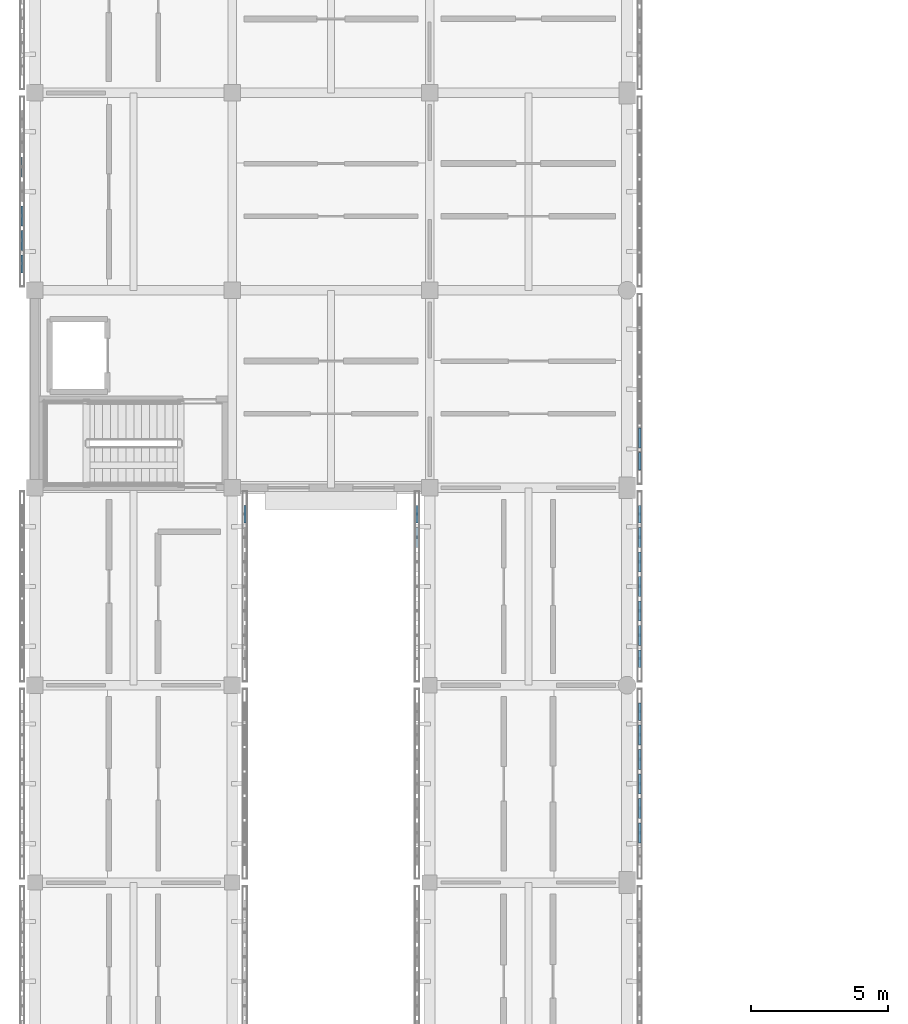
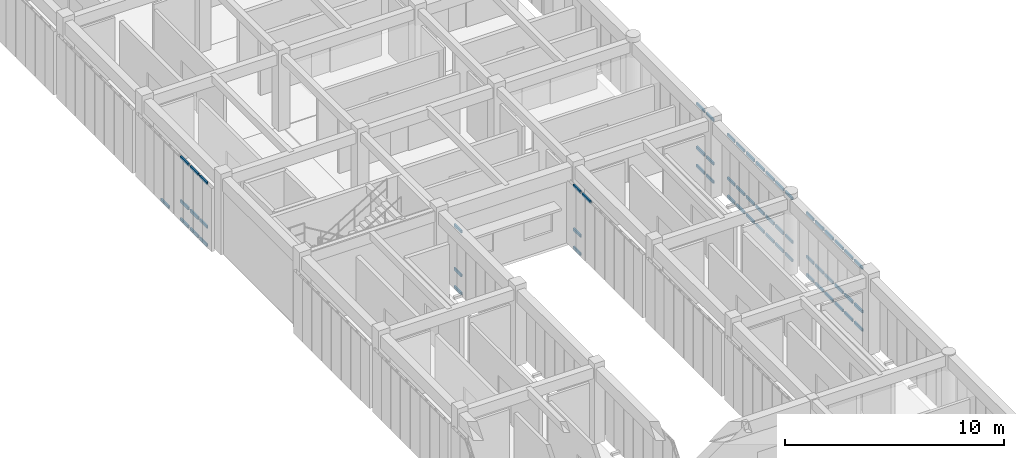
# One storey, part 73 of 171: 62 members, 6 elements without a shape of their own.
"""IFC4 building model written with IfcOpenShell, lengths in metres."""

from ifc_helpers import new_model, si_unit, direction, frame, origin, origin_2d, place, context, subcontext, project, spatial, hollow_rectangle, extrude, material, material_profile, profile_set, type_object, element, aggregate, save


model = new_model("IFC4")

# Units and contexts
model_context = context("Model", 3, precision=1e-05, world=origin(), true_north=direction((0.0, 1.0)))
body_context = subcontext(model_context, "Body", "Model", "MODEL_VIEW")
ifc_project = project(units=[si_unit("LENGTHUNIT", "METRE"), si_unit("AREAUNIT", "SQUARE_METRE"), si_unit("VOLUMEUNIT", "CUBIC_METRE"), si_unit("PLANEANGLEUNIT", "RADIAN"), si_unit("MASSUNIT", "GRAM", prefix="KILO")], contexts=[model_context])

# Site, building, storey
site_placement = place(None, origin())
site = spatial("IfcSite", under=ifc_project, at=site_placement, CompositionType="ELEMENT")
building_placement = place(site_placement, origin())
building = spatial("IfcBuilding", under=site, at=building_placement, Name="Aldebral Square Health Centre", CompositionType="ELEMENT")
storey_placement = place(building_placement, frame((0.0, 0.0, 4.5)))
storey = spatial("IfcBuildingStorey", under=building, at=storey_placement, Name="L01", CompositionType="ELEMENT", Elevation=4.5)

# Curtain wall, members
ifc_material_1 = material(Name="Aluminium and low-E solar glass", Category="aluminium")
curtain_wall_type = type_object("IfcCurtainWallType", Name="CW-FIN-SYS", PredefinedType="USERDEFINED", material=ifc_material_1)
curtain_wall_1_placement = place(storey_placement, origin())
curtain_wall_1 = element("IfcCurtainWall", 1, at=curtain_wall_1_placement, inside=storey, type_object=curtain_wall_type, Name="L01 V6 finned curtain wall L01-V6-00-03-E", ObjectType="SOLAR_CURTAIN_WALL", PredefinedType="USERDEFINED")
ifc_material_2 = material(Name="Anodised aluminium transom", Category="aluminium")
ifc_material_profile = material_profile(ifc_material_2, hollow_rectangle(XDim=0.074951171875, YDim=0.14990234375, WallThickness=0.00390625, at=origin_2d()), Name="CWT 75x150x4")
ifc_profile_set = profile_set([ifc_material_profile], Name="Anodised aluminium transom")
member_type = type_object("IfcMemberType", Name="CWT-STD", PredefinedType="USERDEFINED", material=ifc_profile_set)
member_1_placement = place(storey_placement, frame((7.659912109375, 27.508544921875, 0.03759765625), z_axis=(0.0, 1.0, 0.0), x_axis=(-1.0, 0.0, 0.0)))
member_1 = element("IfcMember", 2, at=member_1_placement, type_object=member_type, Name="CW1 transom 7.1", ObjectType="TRANSOM", PredefinedType="USERDEFINED", context=body_context, shape_type="SweptSolid", body=[
    extrude(hollow_rectangle(XDim=0.074951171875, YDim=0.14990234375, WallThickness=0.00390625, at=origin_2d()), origin(), (0.0, 0.0, 1.0), 0.6513671875),
])
member_2_placement = place(storey_placement, frame((7.659912109375, 27.508544921875, 1.050048828125), z_axis=(0.0, 1.0, 0.0), x_axis=(-1.0, 0.0, 0.0)))
member_2 = element("IfcMember", 3, at=member_2_placement, type_object=member_type, Name="CW1 transom 7.2", ObjectType="TRANSOM", PredefinedType="USERDEFINED", context=body_context, shape_type="SweptSolid", body=[
    extrude(hollow_rectangle(XDim=0.074951171875, YDim=0.14990234375, WallThickness=0.00390625, at=origin_2d()), origin(), (0.0, 0.0, 1.0), 0.6513671875),
])
member_3_placement = place(storey_placement, frame((7.659912109375, 27.508544921875, 3.482421875), z_axis=(0.0, 1.0, 0.0), x_axis=(-1.0, 0.0, 0.0)))
member_3 = element("IfcMember", 4, at=member_3_placement, type_object=member_type, Name="CW1 transom 7.3", ObjectType="TRANSOM", PredefinedType="USERDEFINED", context=body_context, shape_type="SweptSolid", body=[
    extrude(hollow_rectangle(XDim=0.074951171875, YDim=0.14990234375, WallThickness=0.00390625, at=origin_2d()), origin(), (0.0, 0.0, 1.0), 0.6513671875),
])
aggregate(curtain_wall_1, [member_1, member_2, member_3])

curtain_wall_2_placement = place(storey_placement, origin())
curtain_wall_2 = element("IfcCurtainWall", 5, at=curtain_wall_2_placement, inside=storey, type_object=curtain_wall_type, Name="L01 V6 finned curtain wall L01-V6-00-05-W", ObjectType="SOLAR_CURTAIN_WALL", PredefinedType="USERDEFINED")
member_4_placement = place(storey_placement, frame((-0.4599609375, 40.857177734375, 0.03759765625), z_axis=(0.0, -1.0, 0.0), x_axis=(1.0, 0.0, 0.0)))
member_4 = element("IfcMember", 6, at=member_4_placement, type_object=member_type, Name="CW1 transom 3.1", ObjectType="TRANSOM", PredefinedType="USERDEFINED", context=body_context, shape_type="SweptSolid", body=[
    extrude(hollow_rectangle(XDim=0.074951171875, YDim=0.14990234375, WallThickness=0.00390625, at=origin_2d()), origin(), (0.0, 0.0, 1.0), 0.7314453125),
])
member_5_placement = place(storey_placement, frame((-0.4599609375, 39.07421875, 0.03759765625), z_axis=(0.0, -1.0, 0.0), x_axis=(1.0, 0.0, 0.0)))
member_5 = element("IfcMember", 7, at=member_5_placement, type_object=member_type, Name="CW1 transom 5.1", ObjectType="TRANSOM", PredefinedType="USERDEFINED", context=body_context, shape_type="SweptSolid", body=[
    extrude(hollow_rectangle(XDim=0.074951171875, YDim=0.14990234375, WallThickness=0.00390625, at=origin_2d()), origin(), (0.0, 0.0, 1.0), 0.7314453125),
])
member_6_placement = place(storey_placement, frame((-0.4599609375, 39.07421875, 1.050048828125), z_axis=(0.0, -1.0, 0.0), x_axis=(1.0, 0.0, 0.0)))
member_6 = element("IfcMember", 8, at=member_6_placement, type_object=member_type, Name="CW1 transom 5.2", ObjectType="TRANSOM", PredefinedType="USERDEFINED", context=body_context, shape_type="SweptSolid", body=[
    extrude(hollow_rectangle(XDim=0.074951171875, YDim=0.14990234375, WallThickness=0.00390625, at=origin_2d()), origin(), (0.0, 0.0, 1.0), 0.7314453125),
])
member_7_placement = place(storey_placement, frame((-0.4599609375, 39.07421875, 3.482421875), z_axis=(0.0, -1.0, 0.0), x_axis=(1.0, 0.0, 0.0)))
member_7 = element("IfcMember", 9, at=member_7_placement, type_object=member_type, Name="CW1 transom 5.3", ObjectType="TRANSOM", PredefinedType="USERDEFINED", context=body_context, shape_type="SweptSolid", body=[
    extrude(hollow_rectangle(XDim=0.074951171875, YDim=0.14990234375, WallThickness=0.00390625, at=origin_2d()), origin(), (0.0, 0.0, 1.0), 0.7314453125),
])
member_8_placement = place(storey_placement, frame((-0.4599609375, 38.182861328125, 0.03759765625), z_axis=(0.0, -1.0, 0.0), x_axis=(1.0, 0.0, 0.0)))
member_8 = element("IfcMember", 10, at=member_8_placement, type_object=member_type, Name="CW1 transom 6.1", ObjectType="TRANSOM", PredefinedType="USERDEFINED", context=body_context, shape_type="SweptSolid", body=[
    extrude(hollow_rectangle(XDim=0.074951171875, YDim=0.14990234375, WallThickness=0.00390625, at=origin_2d()), origin(), (0.0, 0.0, 1.0), 0.7314453125),
])
member_9_placement = place(storey_placement, frame((-0.4599609375, 38.182861328125, 1.050048828125), z_axis=(0.0, -1.0, 0.0), x_axis=(1.0, 0.0, 0.0)))
member_9 = element("IfcMember", 11, at=member_9_placement, type_object=member_type, Name="CW1 transom 6.2", ObjectType="TRANSOM", PredefinedType="USERDEFINED", context=body_context, shape_type="SweptSolid", body=[
    extrude(hollow_rectangle(XDim=0.074951171875, YDim=0.14990234375, WallThickness=0.00390625, at=origin_2d()), origin(), (0.0, 0.0, 1.0), 0.7314453125),
])
member_10_placement = place(storey_placement, frame((-0.4599609375, 38.182861328125, 3.482421875), z_axis=(0.0, -1.0, 0.0), x_axis=(1.0, 0.0, 0.0)))
member_10 = element("IfcMember", 12, at=member_10_placement, type_object=member_type, Name="CW1 transom 6.3", ObjectType="TRANSOM", PredefinedType="USERDEFINED", context=body_context, shape_type="SweptSolid", body=[
    extrude(hollow_rectangle(XDim=0.074951171875, YDim=0.14990234375, WallThickness=0.00390625, at=origin_2d()), origin(), (0.0, 0.0, 1.0), 0.7314453125),
])
member_11_placement = place(storey_placement, frame((-0.4599609375, 37.29150390625, 0.03759765625), z_axis=(0.0, -1.0, 0.0), x_axis=(1.0, 0.0, 0.0)))
member_11 = element("IfcMember", 13, at=member_11_placement, type_object=member_type, Name="CW1 transom 7.1", ObjectType="TRANSOM", PredefinedType="USERDEFINED", context=body_context, shape_type="SweptSolid", body=[
    extrude(hollow_rectangle(XDim=0.074951171875, YDim=0.14990234375, WallThickness=0.00390625, at=origin_2d()), origin(), (0.0, 0.0, 1.0), 0.651611328125),
])
member_12_placement = place(storey_placement, frame((-0.4599609375, 37.29150390625, 1.050048828125), z_axis=(0.0, -1.0, 0.0), x_axis=(1.0, 0.0, 0.0)))
member_12 = element("IfcMember", 14, at=member_12_placement, type_object=member_type, Name="CW1 transom 7.2", ObjectType="TRANSOM", PredefinedType="USERDEFINED", context=body_context, shape_type="SweptSolid", body=[
    extrude(hollow_rectangle(XDim=0.074951171875, YDim=0.14990234375, WallThickness=0.00390625, at=origin_2d()), origin(), (0.0, 0.0, 1.0), 0.651611328125),
])
member_13_placement = place(storey_placement, frame((-0.4599609375, 37.29150390625, 3.482421875), z_axis=(0.0, -1.0, 0.0), x_axis=(1.0, 0.0, 0.0)))
member_13 = element("IfcMember", 15, at=member_13_placement, type_object=member_type, Name="CW1 transom 7.3", ObjectType="TRANSOM", PredefinedType="USERDEFINED", context=body_context, shape_type="SweptSolid", body=[
    extrude(hollow_rectangle(XDim=0.074951171875, YDim=0.14990234375, WallThickness=0.00390625, at=origin_2d()), origin(), (0.0, 0.0, 1.0), 0.651611328125),
])
aggregate(curtain_wall_2, [member_4, member_5, member_6, member_7, member_8, member_9, member_10, member_11, member_12, member_13])

curtain_wall_3_placement = place(storey_placement, origin())
curtain_wall_3 = element("IfcCurtainWall", 16, at=curtain_wall_3_placement, inside=storey, type_object=curtain_wall_type, Name="L01 V6 finned curtain wall L01-V6-02-02-E", ObjectType="SOLAR_CURTAIN_WALL", PredefinedType="USERDEFINED")
member_14_placement = place(storey_placement, frame((22.06005859375, 15.851318359375, 0.03759765625), z_axis=(0.0, 1.0, 0.0), x_axis=(-1.0, 0.0, 0.0)))
member_14 = element("IfcMember", 17, at=member_14_placement, type_object=member_type, Name="CW1 transom 2.1", ObjectType="TRANSOM", PredefinedType="USERDEFINED", context=body_context, shape_type="SweptSolid", body=[
    extrude(hollow_rectangle(XDim=0.074951171875, YDim=0.14990234375, WallThickness=0.00390625, at=origin_2d()), origin(), (0.0, 0.0, 1.0), 0.7314453125),
])
member_15_placement = place(storey_placement, frame((22.06005859375, 15.851318359375, 1.050048828125), z_axis=(0.0, 1.0, 0.0), x_axis=(-1.0, 0.0, 0.0)))
member_15 = element("IfcMember", 18, at=member_15_placement, type_object=member_type, Name="CW1 transom 2.2", ObjectType="TRANSOM", PredefinedType="USERDEFINED", context=body_context, shape_type="SweptSolid", body=[
    extrude(hollow_rectangle(XDim=0.074951171875, YDim=0.14990234375, WallThickness=0.00390625, at=origin_2d()), origin(), (0.0, 0.0, 1.0), 0.7314453125),
])
member_16_placement = place(storey_placement, frame((22.06005859375, 15.851318359375, 3.482421875), z_axis=(0.0, 1.0, 0.0), x_axis=(-1.0, 0.0, 0.0)))
member_16 = element("IfcMember", 19, at=member_16_placement, type_object=member_type, Name="CW1 transom 2.3", ObjectType="TRANSOM", PredefinedType="USERDEFINED", context=body_context, shape_type="SweptSolid", body=[
    extrude(hollow_rectangle(XDim=0.074951171875, YDim=0.14990234375, WallThickness=0.00390625, at=origin_2d()), origin(), (0.0, 0.0, 1.0), 0.7314453125),
])
member_17_placement = place(storey_placement, frame((22.06005859375, 16.742919921875, 0.03759765625), z_axis=(0.0, 1.0, 0.0), x_axis=(-1.0, 0.0, 0.0)))
member_17 = element("IfcMember", 20, at=member_17_placement, type_object=member_type, Name="CW1 transom 3.1", ObjectType="TRANSOM", PredefinedType="USERDEFINED", context=body_context, shape_type="SweptSolid", body=[
    extrude(hollow_rectangle(XDim=0.074951171875, YDim=0.14990234375, WallThickness=0.00390625, at=origin_2d()), origin(), (0.0, 0.0, 1.0), 0.7314453125),
])
member_18_placement = place(storey_placement, frame((22.06005859375, 16.742919921875, 1.050048828125), z_axis=(0.0, 1.0, 0.0), x_axis=(-1.0, 0.0, 0.0)))
member_18 = element("IfcMember", 21, at=member_18_placement, type_object=member_type, Name="CW1 transom 3.2", ObjectType="TRANSOM", PredefinedType="USERDEFINED", context=body_context, shape_type="SweptSolid", body=[
    extrude(hollow_rectangle(XDim=0.074951171875, YDim=0.14990234375, WallThickness=0.00390625, at=origin_2d()), origin(), (0.0, 0.0, 1.0), 0.7314453125),
])
member_19_placement = place(storey_placement, frame((22.06005859375, 16.742919921875, 3.482421875), z_axis=(0.0, 1.0, 0.0), x_axis=(-1.0, 0.0, 0.0)))
member_19 = element("IfcMember", 22, at=member_19_placement, type_object=member_type, Name="CW1 transom 3.3", ObjectType="TRANSOM", PredefinedType="USERDEFINED", context=body_context, shape_type="SweptSolid", body=[
    extrude(hollow_rectangle(XDim=0.074951171875, YDim=0.14990234375, WallThickness=0.00390625, at=origin_2d()), origin(), (0.0, 0.0, 1.0), 0.7314453125),
])
member_20_placement = place(storey_placement, frame((22.06005859375, 17.63427734375, 0.03759765625), z_axis=(0.0, 1.0, 0.0), x_axis=(-1.0, 0.0, 0.0)))
member_20 = element("IfcMember", 23, at=member_20_placement, type_object=member_type, Name="CW1 transom 4.1", ObjectType="TRANSOM", PredefinedType="USERDEFINED", context=body_context, shape_type="SweptSolid", body=[
    extrude(hollow_rectangle(XDim=0.074951171875, YDim=0.14990234375, WallThickness=0.00390625, at=origin_2d()), origin(), (0.0, 0.0, 1.0), 0.7314453125),
])
member_21_placement = place(storey_placement, frame((22.06005859375, 17.63427734375, 1.050048828125), z_axis=(0.0, 1.0, 0.0), x_axis=(-1.0, 0.0, 0.0)))
member_21 = element("IfcMember", 24, at=member_21_placement, type_object=member_type, Name="CW1 transom 4.2", ObjectType="TRANSOM", PredefinedType="USERDEFINED", context=body_context, shape_type="SweptSolid", body=[
    extrude(hollow_rectangle(XDim=0.074951171875, YDim=0.14990234375, WallThickness=0.00390625, at=origin_2d()), origin(), (0.0, 0.0, 1.0), 0.7314453125),
])
member_22_placement = place(storey_placement, frame((22.06005859375, 17.63427734375, 3.482421875), z_axis=(0.0, 1.0, 0.0), x_axis=(-1.0, 0.0, 0.0)))
member_22 = element("IfcMember", 25, at=member_22_placement, type_object=member_type, Name="CW1 transom 4.3", ObjectType="TRANSOM", PredefinedType="USERDEFINED", context=body_context, shape_type="SweptSolid", body=[
    extrude(hollow_rectangle(XDim=0.074951171875, YDim=0.14990234375, WallThickness=0.00390625, at=origin_2d()), origin(), (0.0, 0.0, 1.0), 0.7314453125),
])
member_23_placement = place(storey_placement, frame((22.06005859375, 18.525634765625, 0.03759765625), z_axis=(0.0, 1.0, 0.0), x_axis=(-1.0, 0.0, 0.0)))
member_23 = element("IfcMember", 26, at=member_23_placement, type_object=member_type, Name="CW1 transom 5.1", ObjectType="TRANSOM", PredefinedType="USERDEFINED", context=body_context, shape_type="SweptSolid", body=[
    extrude(hollow_rectangle(XDim=0.074951171875, YDim=0.14990234375, WallThickness=0.00390625, at=origin_2d()), origin(), (0.0, 0.0, 1.0), 0.7314453125),
])
member_24_placement = place(storey_placement, frame((22.06005859375, 18.525634765625, 1.050048828125), z_axis=(0.0, 1.0, 0.0), x_axis=(-1.0, 0.0, 0.0)))
member_24 = element("IfcMember", 27, at=member_24_placement, type_object=member_type, Name="CW1 transom 5.2", ObjectType="TRANSOM", PredefinedType="USERDEFINED", context=body_context, shape_type="SweptSolid", body=[
    extrude(hollow_rectangle(XDim=0.074951171875, YDim=0.14990234375, WallThickness=0.00390625, at=origin_2d()), origin(), (0.0, 0.0, 1.0), 0.7314453125),
])
member_25_placement = place(storey_placement, frame((22.06005859375, 18.525634765625, 3.482421875), z_axis=(0.0, 1.0, 0.0), x_axis=(-1.0, 0.0, 0.0)))
member_25 = element("IfcMember", 28, at=member_25_placement, type_object=member_type, Name="CW1 transom 5.3", ObjectType="TRANSOM", PredefinedType="USERDEFINED", context=body_context, shape_type="SweptSolid", body=[
    extrude(hollow_rectangle(XDim=0.074951171875, YDim=0.14990234375, WallThickness=0.00390625, at=origin_2d()), origin(), (0.0, 0.0, 1.0), 0.7314453125),
])
member_26_placement = place(storey_placement, frame((22.06005859375, 19.417236328125, 0.03759765625), z_axis=(0.0, 1.0, 0.0), x_axis=(-1.0, 0.0, 0.0)))
member_26 = element("IfcMember", 29, at=member_26_placement, type_object=member_type, Name="CW1 transom 6.1", ObjectType="TRANSOM", PredefinedType="USERDEFINED", context=body_context, shape_type="SweptSolid", body=[
    extrude(hollow_rectangle(XDim=0.074951171875, YDim=0.14990234375, WallThickness=0.00390625, at=origin_2d()), origin(), (0.0, 0.0, 1.0), 0.7314453125),
])
member_27_placement = place(storey_placement, frame((22.06005859375, 19.417236328125, 1.050048828125), z_axis=(0.0, 1.0, 0.0), x_axis=(-1.0, 0.0, 0.0)))
member_27 = element("IfcMember", 30, at=member_27_placement, type_object=member_type, Name="CW1 transom 6.2", ObjectType="TRANSOM", PredefinedType="USERDEFINED", context=body_context, shape_type="SweptSolid", body=[
    extrude(hollow_rectangle(XDim=0.074951171875, YDim=0.14990234375, WallThickness=0.00390625, at=origin_2d()), origin(), (0.0, 0.0, 1.0), 0.7314453125),
])
member_28_placement = place(storey_placement, frame((22.06005859375, 19.417236328125, 3.482421875), z_axis=(0.0, 1.0, 0.0), x_axis=(-1.0, 0.0, 0.0)))
member_28 = element("IfcMember", 31, at=member_28_placement, type_object=member_type, Name="CW1 transom 6.3", ObjectType="TRANSOM", PredefinedType="USERDEFINED", context=body_context, shape_type="SweptSolid", body=[
    extrude(hollow_rectangle(XDim=0.074951171875, YDim=0.14990234375, WallThickness=0.00390625, at=origin_2d()), origin(), (0.0, 0.0, 1.0), 0.7314453125),
])
member_29_placement = place(storey_placement, frame((22.06005859375, 20.30859375, 0.03759765625), z_axis=(0.0, 1.0, 0.0), x_axis=(-1.0, 0.0, 0.0)))
member_29 = element("IfcMember", 32, at=member_29_placement, type_object=member_type, Name="CW1 transom 7.1", ObjectType="TRANSOM", PredefinedType="USERDEFINED", context=body_context, shape_type="SweptSolid", body=[
    extrude(hollow_rectangle(XDim=0.074951171875, YDim=0.14990234375, WallThickness=0.00390625, at=origin_2d()), origin(), (0.0, 0.0, 1.0), 0.6513671875),
])
member_30_placement = place(storey_placement, frame((22.06005859375, 20.30859375, 1.050048828125), z_axis=(0.0, 1.0, 0.0), x_axis=(-1.0, 0.0, 0.0)))
member_30 = element("IfcMember", 33, at=member_30_placement, type_object=member_type, Name="CW1 transom 7.2", ObjectType="TRANSOM", PredefinedType="USERDEFINED", context=body_context, shape_type="SweptSolid", body=[
    extrude(hollow_rectangle(XDim=0.074951171875, YDim=0.14990234375, WallThickness=0.00390625, at=origin_2d()), origin(), (0.0, 0.0, 1.0), 0.6513671875),
])
member_31_placement = place(storey_placement, frame((22.06005859375, 20.30859375, 3.482421875), z_axis=(0.0, 1.0, 0.0), x_axis=(-1.0, 0.0, 0.0)))
member_31 = element("IfcMember", 34, at=member_31_placement, type_object=member_type, Name="CW1 transom 7.3", ObjectType="TRANSOM", PredefinedType="USERDEFINED", context=body_context, shape_type="SweptSolid", body=[
    extrude(hollow_rectangle(XDim=0.074951171875, YDim=0.14990234375, WallThickness=0.00390625, at=origin_2d()), origin(), (0.0, 0.0, 1.0), 0.6513671875),
])
aggregate(curtain_wall_3, [member_14, member_15, member_16, member_17, member_18, member_19, member_20, member_21, member_22, member_23, member_24, member_25, member_26, member_27, member_28, member_29, member_30, member_31])

curtain_wall_4_placement = place(storey_placement, origin())
curtain_wall_4 = element("IfcCurtainWall", 35, at=curtain_wall_4_placement, inside=storey, type_object=curtain_wall_type, Name="L01 V6 finned curtain wall L01-V6-02-03-W", ObjectType="SOLAR_CURTAIN_WALL", PredefinedType="USERDEFINED")
member_32_placement = place(storey_placement, frame((13.93994140625, 28.159912109375, 0.03759765625), z_axis=(0.0, -1.0, 0.0), x_axis=(1.0, 0.0, 0.0)))
member_32 = element("IfcMember", 36, at=member_32_placement, type_object=member_type, Name="CW1 transom 1.1", ObjectType="TRANSOM", PredefinedType="USERDEFINED", context=body_context, shape_type="SweptSolid", body=[
    extrude(hollow_rectangle(XDim=0.074951171875, YDim=0.14990234375, WallThickness=0.00390625, at=origin_2d()), origin(), (0.0, 0.0, 1.0), 0.6513671875),
])
member_33_placement = place(storey_placement, frame((13.93994140625, 28.159912109375, 1.050048828125), z_axis=(0.0, -1.0, 0.0), x_axis=(1.0, 0.0, 0.0)))
member_33 = element("IfcMember", 37, at=member_33_placement, type_object=member_type, Name="CW1 transom 1.2", ObjectType="TRANSOM", PredefinedType="USERDEFINED", context=body_context, shape_type="SweptSolid", body=[
    extrude(hollow_rectangle(XDim=0.074951171875, YDim=0.14990234375, WallThickness=0.00390625, at=origin_2d()), origin(), (0.0, 0.0, 1.0), 0.6513671875),
])
member_34_placement = place(storey_placement, frame((13.93994140625, 28.159912109375, 3.482421875), z_axis=(0.0, -1.0, 0.0), x_axis=(1.0, 0.0, 0.0)))
member_34 = element("IfcMember", 38, at=member_34_placement, type_object=member_type, Name="CW1 transom 1.3", ObjectType="TRANSOM", PredefinedType="USERDEFINED", context=body_context, shape_type="SweptSolid", body=[
    extrude(hollow_rectangle(XDim=0.074951171875, YDim=0.14990234375, WallThickness=0.00390625, at=origin_2d()), origin(), (0.0, 0.0, 1.0), 0.6513671875),
])
member_35_placement = place(storey_placement, frame((13.93994140625, 27.3486328125, 3.482421875), z_axis=(0.0, -1.0, 0.0), x_axis=(1.0, 0.0, 0.0)))
member_35 = element("IfcMember", 39, at=member_35_placement, type_object=member_type, Name="CW1 transom 2.3", ObjectType="TRANSOM", PredefinedType="USERDEFINED", context=body_context, shape_type="SweptSolid", body=[
    extrude(hollow_rectangle(XDim=0.074951171875, YDim=0.14990234375, WallThickness=0.00390625, at=origin_2d()), origin(), (0.0, 0.0, 1.0), 0.7314453125),
])
aggregate(curtain_wall_4, [member_32, member_33, member_34, member_35])

curtain_wall_5_placement = place(storey_placement, origin())
curtain_wall_5 = element("IfcCurtainWall", 40, at=curtain_wall_5_placement, inside=storey, type_object=curtain_wall_type, Name="L01 V6 finned curtain wall L01-V6-02-03-E", ObjectType="SOLAR_CURTAIN_WALL", PredefinedType="USERDEFINED")
member_36_placement = place(storey_placement, frame((22.06005859375, 22.239990234375, 0.03759765625), z_axis=(0.0, 1.0, 0.0), x_axis=(-1.0, 0.0, 0.0)))
member_36 = element("IfcMember", 41, at=member_36_placement, type_object=member_type, Name="CW1 transom 1.1", ObjectType="TRANSOM", PredefinedType="USERDEFINED", context=body_context, shape_type="SweptSolid", body=[
    extrude(hollow_rectangle(XDim=0.074951171875, YDim=0.14990234375, WallThickness=0.00390625, at=origin_2d()), origin(), (0.0, 0.0, 1.0), 0.6513671875),
])
member_37_placement = place(storey_placement, frame((22.06005859375, 22.239990234375, 1.050048828125), z_axis=(0.0, 1.0, 0.0), x_axis=(-1.0, 0.0, 0.0)))
member_37 = element("IfcMember", 42, at=member_37_placement, type_object=member_type, Name="CW1 transom 1.2", ObjectType="TRANSOM", PredefinedType="USERDEFINED", context=body_context, shape_type="SweptSolid", body=[
    extrude(hollow_rectangle(XDim=0.074951171875, YDim=0.14990234375, WallThickness=0.00390625, at=origin_2d()), origin(), (0.0, 0.0, 1.0), 0.6513671875),
])
member_38_placement = place(storey_placement, frame((22.06005859375, 22.239990234375, 3.482421875), z_axis=(0.0, 1.0, 0.0), x_axis=(-1.0, 0.0, 0.0)))
member_38 = element("IfcMember", 43, at=member_38_placement, type_object=member_type, Name="CW1 transom 1.3", ObjectType="TRANSOM", PredefinedType="USERDEFINED", context=body_context, shape_type="SweptSolid", body=[
    extrude(hollow_rectangle(XDim=0.074951171875, YDim=0.14990234375, WallThickness=0.00390625, at=origin_2d()), origin(), (0.0, 0.0, 1.0), 0.6513671875),
])
member_39_placement = place(storey_placement, frame((22.06005859375, 23.051513671875, 0.03759765625), z_axis=(0.0, 1.0, 0.0), x_axis=(-1.0, 0.0, 0.0)))
member_39 = element("IfcMember", 44, at=member_39_placement, type_object=member_type, Name="CW1 transom 2.1", ObjectType="TRANSOM", PredefinedType="USERDEFINED", context=body_context, shape_type="SweptSolid", body=[
    extrude(hollow_rectangle(XDim=0.074951171875, YDim=0.14990234375, WallThickness=0.00390625, at=origin_2d()), origin(), (0.0, 0.0, 1.0), 0.7314453125),
])
member_40_placement = place(storey_placement, frame((22.06005859375, 23.051513671875, 1.050048828125), z_axis=(0.0, 1.0, 0.0), x_axis=(-1.0, 0.0, 0.0)))
member_40 = element("IfcMember", 45, at=member_40_placement, type_object=member_type, Name="CW1 transom 2.2", ObjectType="TRANSOM", PredefinedType="USERDEFINED", context=body_context, shape_type="SweptSolid", body=[
    extrude(hollow_rectangle(XDim=0.074951171875, YDim=0.14990234375, WallThickness=0.00390625, at=origin_2d()), origin(), (0.0, 0.0, 1.0), 0.7314453125),
])
member_41_placement = place(storey_placement, frame((22.06005859375, 23.051513671875, 3.482421875), z_axis=(0.0, 1.0, 0.0), x_axis=(-1.0, 0.0, 0.0)))
member_41 = element("IfcMember", 46, at=member_41_placement, type_object=member_type, Name="CW1 transom 2.3", ObjectType="TRANSOM", PredefinedType="USERDEFINED", context=body_context, shape_type="SweptSolid", body=[
    extrude(hollow_rectangle(XDim=0.074951171875, YDim=0.14990234375, WallThickness=0.00390625, at=origin_2d()), origin(), (0.0, 0.0, 1.0), 0.7314453125),
])
member_42_placement = place(storey_placement, frame((22.06005859375, 23.94287109375, 0.03759765625), z_axis=(0.0, 1.0, 0.0), x_axis=(-1.0, 0.0, 0.0)))
member_42 = element("IfcMember", 47, at=member_42_placement, type_object=member_type, Name="CW1 transom 3.1", ObjectType="TRANSOM", PredefinedType="USERDEFINED", context=body_context, shape_type="SweptSolid", body=[
    extrude(hollow_rectangle(XDim=0.074951171875, YDim=0.14990234375, WallThickness=0.00390625, at=origin_2d()), origin(), (0.0, 0.0, 1.0), 0.7314453125),
])
member_43_placement = place(storey_placement, frame((22.06005859375, 23.94287109375, 1.050048828125), z_axis=(0.0, 1.0, 0.0), x_axis=(-1.0, 0.0, 0.0)))
member_43 = element("IfcMember", 48, at=member_43_placement, type_object=member_type, Name="CW1 transom 3.2", ObjectType="TRANSOM", PredefinedType="USERDEFINED", context=body_context, shape_type="SweptSolid", body=[
    extrude(hollow_rectangle(XDim=0.074951171875, YDim=0.14990234375, WallThickness=0.00390625, at=origin_2d()), origin(), (0.0, 0.0, 1.0), 0.7314453125),
])
member_44_placement = place(storey_placement, frame((22.06005859375, 23.94287109375, 3.482421875), z_axis=(0.0, 1.0, 0.0), x_axis=(-1.0, 0.0, 0.0)))
member_44 = element("IfcMember", 49, at=member_44_placement, type_object=member_type, Name="CW1 transom 3.3", ObjectType="TRANSOM", PredefinedType="USERDEFINED", context=body_context, shape_type="SweptSolid", body=[
    extrude(hollow_rectangle(XDim=0.074951171875, YDim=0.14990234375, WallThickness=0.00390625, at=origin_2d()), origin(), (0.0, 0.0, 1.0), 0.7314453125),
])
member_45_placement = place(storey_placement, frame((22.06005859375, 24.834228515625, 0.03759765625), z_axis=(0.0, 1.0, 0.0), x_axis=(-1.0, 0.0, 0.0)))
member_45 = element("IfcMember", 50, at=member_45_placement, type_object=member_type, Name="CW1 transom 4.1", ObjectType="TRANSOM", PredefinedType="USERDEFINED", context=body_context, shape_type="SweptSolid", body=[
    extrude(hollow_rectangle(XDim=0.074951171875, YDim=0.14990234375, WallThickness=0.00390625, at=origin_2d()), origin(), (0.0, 0.0, 1.0), 0.7314453125),
])
member_46_placement = place(storey_placement, frame((22.06005859375, 24.834228515625, 1.050048828125), z_axis=(0.0, 1.0, 0.0), x_axis=(-1.0, 0.0, 0.0)))
member_46 = element("IfcMember", 51, at=member_46_placement, type_object=member_type, Name="CW1 transom 4.2", ObjectType="TRANSOM", PredefinedType="USERDEFINED", context=body_context, shape_type="SweptSolid", body=[
    extrude(hollow_rectangle(XDim=0.074951171875, YDim=0.14990234375, WallThickness=0.00390625, at=origin_2d()), origin(), (0.0, 0.0, 1.0), 0.7314453125),
])
member_47_placement = place(storey_placement, frame((22.06005859375, 24.834228515625, 3.482421875), z_axis=(0.0, 1.0, 0.0), x_axis=(-1.0, 0.0, 0.0)))
member_47 = element("IfcMember", 52, at=member_47_placement, type_object=member_type, Name="CW1 transom 4.3", ObjectType="TRANSOM", PredefinedType="USERDEFINED", context=body_context, shape_type="SweptSolid", body=[
    extrude(hollow_rectangle(XDim=0.074951171875, YDim=0.14990234375, WallThickness=0.00390625, at=origin_2d()), origin(), (0.0, 0.0, 1.0), 0.7314453125),
])
member_48_placement = place(storey_placement, frame((22.06005859375, 25.725830078125, 0.03759765625), z_axis=(0.0, 1.0, 0.0), x_axis=(-1.0, 0.0, 0.0)))
member_48 = element("IfcMember", 53, at=member_48_placement, type_object=member_type, Name="CW1 transom 5.1", ObjectType="TRANSOM", PredefinedType="USERDEFINED", context=body_context, shape_type="SweptSolid", body=[
    extrude(hollow_rectangle(XDim=0.074951171875, YDim=0.14990234375, WallThickness=0.00390625, at=origin_2d()), origin(), (0.0, 0.0, 1.0), 0.731201171875),
])
member_49_placement = place(storey_placement, frame((22.06005859375, 25.725830078125, 1.050048828125), z_axis=(0.0, 1.0, 0.0), x_axis=(-1.0, 0.0, 0.0)))
member_49 = element("IfcMember", 54, at=member_49_placement, type_object=member_type, Name="CW1 transom 5.2", ObjectType="TRANSOM", PredefinedType="USERDEFINED", context=body_context, shape_type="SweptSolid", body=[
    extrude(hollow_rectangle(XDim=0.074951171875, YDim=0.14990234375, WallThickness=0.00390625, at=origin_2d()), origin(), (0.0, 0.0, 1.0), 0.731201171875),
])
member_50_placement = place(storey_placement, frame((22.06005859375, 25.725830078125, 3.482421875), z_axis=(0.0, 1.0, 0.0), x_axis=(-1.0, 0.0, 0.0)))
member_50 = element("IfcMember", 55, at=member_50_placement, type_object=member_type, Name="CW1 transom 5.3", ObjectType="TRANSOM", PredefinedType="USERDEFINED", context=body_context, shape_type="SweptSolid", body=[
    extrude(hollow_rectangle(XDim=0.074951171875, YDim=0.14990234375, WallThickness=0.00390625, at=origin_2d()), origin(), (0.0, 0.0, 1.0), 0.731201171875),
])
member_51_placement = place(storey_placement, frame((22.06005859375, 26.6171875, 0.03759765625), z_axis=(0.0, 1.0, 0.0), x_axis=(-1.0, 0.0, 0.0)))
member_51 = element("IfcMember", 56, at=member_51_placement, type_object=member_type, Name="CW1 transom 6.1", ObjectType="TRANSOM", PredefinedType="USERDEFINED", context=body_context, shape_type="SweptSolid", body=[
    extrude(hollow_rectangle(XDim=0.074951171875, YDim=0.14990234375, WallThickness=0.00390625, at=origin_2d()), origin(), (0.0, 0.0, 1.0), 0.7314453125),
])
member_52_placement = place(storey_placement, frame((22.06005859375, 26.6171875, 1.050048828125), z_axis=(0.0, 1.0, 0.0), x_axis=(-1.0, 0.0, 0.0)))
member_52 = element("IfcMember", 57, at=member_52_placement, type_object=member_type, Name="CW1 transom 6.2", ObjectType="TRANSOM", PredefinedType="USERDEFINED", context=body_context, shape_type="SweptSolid", body=[
    extrude(hollow_rectangle(XDim=0.074951171875, YDim=0.14990234375, WallThickness=0.00390625, at=origin_2d()), origin(), (0.0, 0.0, 1.0), 0.7314453125),
])
member_53_placement = place(storey_placement, frame((22.06005859375, 26.6171875, 3.482421875), z_axis=(0.0, 1.0, 0.0), x_axis=(-1.0, 0.0, 0.0)))
member_53 = element("IfcMember", 58, at=member_53_placement, type_object=member_type, Name="CW1 transom 6.3", ObjectType="TRANSOM", PredefinedType="USERDEFINED", context=body_context, shape_type="SweptSolid", body=[
    extrude(hollow_rectangle(XDim=0.074951171875, YDim=0.14990234375, WallThickness=0.00390625, at=origin_2d()), origin(), (0.0, 0.0, 1.0), 0.7314453125),
])
member_54_placement = place(storey_placement, frame((22.06005859375, 27.508544921875, 0.03759765625), z_axis=(0.0, 1.0, 0.0), x_axis=(-1.0, 0.0, 0.0)))
member_54 = element("IfcMember", 59, at=member_54_placement, type_object=member_type, Name="CW1 transom 7.1", ObjectType="TRANSOM", PredefinedType="USERDEFINED", context=body_context, shape_type="SweptSolid", body=[
    extrude(hollow_rectangle(XDim=0.074951171875, YDim=0.14990234375, WallThickness=0.00390625, at=origin_2d()), origin(), (0.0, 0.0, 1.0), 0.6513671875),
])
member_55_placement = place(storey_placement, frame((22.06005859375, 27.508544921875, 1.050048828125), z_axis=(0.0, 1.0, 0.0), x_axis=(-1.0, 0.0, 0.0)))
member_55 = element("IfcMember", 60, at=member_55_placement, type_object=member_type, Name="CW1 transom 7.2", ObjectType="TRANSOM", PredefinedType="USERDEFINED", context=body_context, shape_type="SweptSolid", body=[
    extrude(hollow_rectangle(XDim=0.074951171875, YDim=0.14990234375, WallThickness=0.00390625, at=origin_2d()), origin(), (0.0, 0.0, 1.0), 0.6513671875),
])
member_56_placement = place(storey_placement, frame((22.06005859375, 27.508544921875, 3.482421875), z_axis=(0.0, 1.0, 0.0), x_axis=(-1.0, 0.0, 0.0)))
member_56 = element("IfcMember", 61, at=member_56_placement, type_object=member_type, Name="CW1 transom 7.3", ObjectType="TRANSOM", PredefinedType="USERDEFINED", context=body_context, shape_type="SweptSolid", body=[
    extrude(hollow_rectangle(XDim=0.074951171875, YDim=0.14990234375, WallThickness=0.00390625, at=origin_2d()), origin(), (0.0, 0.0, 1.0), 0.6513671875),
])
aggregate(curtain_wall_5, [member_36, member_37, member_38, member_39, member_40, member_41, member_42, member_43, member_44, member_45, member_46, member_47, member_48, member_49, member_50, member_51, member_52, member_53, member_54, member_55, member_56])

curtain_wall_6_placement = place(storey_placement, origin())
curtain_wall_6 = element("IfcCurtainWall", 62, at=curtain_wall_6_placement, inside=storey, type_object=curtain_wall_type, Name="L01 V6 finned curtain wall L01-V6-02-04-E", ObjectType="SOLAR_CURTAIN_WALL", PredefinedType="USERDEFINED")
member_57_placement = place(storey_placement, frame((22.06005859375, 29.43994140625, 0.03759765625), z_axis=(0.0, 1.0, 0.0), x_axis=(-1.0, 0.0, 0.0)))
member_57 = element("IfcMember", 63, at=member_57_placement, type_object=member_type, Name="CW1 transom 1.1", ObjectType="TRANSOM", PredefinedType="USERDEFINED", context=body_context, shape_type="SweptSolid", body=[
    extrude(hollow_rectangle(XDim=0.074951171875, YDim=0.14990234375, WallThickness=0.00390625, at=origin_2d()), origin(), (0.0, 0.0, 1.0), 0.6513671875),
])
member_58_placement = place(storey_placement, frame((22.06005859375, 29.43994140625, 1.050048828125), z_axis=(0.0, 1.0, 0.0), x_axis=(-1.0, 0.0, 0.0)))
member_58 = element("IfcMember", 64, at=member_58_placement, type_object=member_type, Name="CW1 transom 1.2", ObjectType="TRANSOM", PredefinedType="USERDEFINED", context=body_context, shape_type="SweptSolid", body=[
    extrude(hollow_rectangle(XDim=0.074951171875, YDim=0.14990234375, WallThickness=0.00390625, at=origin_2d()), origin(), (0.0, 0.0, 1.0), 0.6513671875),
])
member_59_placement = place(storey_placement, frame((22.06005859375, 29.43994140625, 3.482421875), z_axis=(0.0, 1.0, 0.0), x_axis=(-1.0, 0.0, 0.0)))
member_59 = element("IfcMember", 65, at=member_59_placement, type_object=member_type, Name="CW1 transom 1.3", ObjectType="TRANSOM", PredefinedType="USERDEFINED", context=body_context, shape_type="SweptSolid", body=[
    extrude(hollow_rectangle(XDim=0.074951171875, YDim=0.14990234375, WallThickness=0.00390625, at=origin_2d()), origin(), (0.0, 0.0, 1.0), 0.6513671875),
])
member_60_placement = place(storey_placement, frame((22.06005859375, 30.25146484375, 0.03759765625), z_axis=(0.0, 1.0, 0.0), x_axis=(-1.0, 0.0, 0.0)))
member_60 = element("IfcMember", 66, at=member_60_placement, type_object=member_type, Name="CW1 transom 2.1", ObjectType="TRANSOM", PredefinedType="USERDEFINED", context=body_context, shape_type="SweptSolid", body=[
    extrude(hollow_rectangle(XDim=0.074951171875, YDim=0.14990234375, WallThickness=0.00390625, at=origin_2d()), origin(), (0.0, 0.0, 1.0), 0.7314453125),
])
member_61_placement = place(storey_placement, frame((22.06005859375, 30.25146484375, 1.050048828125), z_axis=(0.0, 1.0, 0.0), x_axis=(-1.0, 0.0, 0.0)))
member_61 = element("IfcMember", 67, at=member_61_placement, type_object=member_type, Name="CW1 transom 2.2", ObjectType="TRANSOM", PredefinedType="USERDEFINED", context=body_context, shape_type="SweptSolid", body=[
    extrude(hollow_rectangle(XDim=0.074951171875, YDim=0.14990234375, WallThickness=0.00390625, at=origin_2d()), origin(), (0.0, 0.0, 1.0), 0.7314453125),
])
member_62_placement = place(storey_placement, frame((22.06005859375, 30.25146484375, 3.482421875), z_axis=(0.0, 1.0, 0.0), x_axis=(-1.0, 0.0, 0.0)))
member_62 = element("IfcMember", 68, at=member_62_placement, type_object=member_type, Name="CW1 transom 2.3", ObjectType="TRANSOM", PredefinedType="USERDEFINED", context=body_context, shape_type="SweptSolid", body=[
    extrude(hollow_rectangle(XDim=0.074951171875, YDim=0.14990234375, WallThickness=0.00390625, at=origin_2d()), origin(), (0.0, 0.0, 1.0), 0.7314453125),
])
aggregate(curtain_wall_6, [member_57, member_58, member_59, member_60, member_61, member_62])

save(model, "model.ifc")
